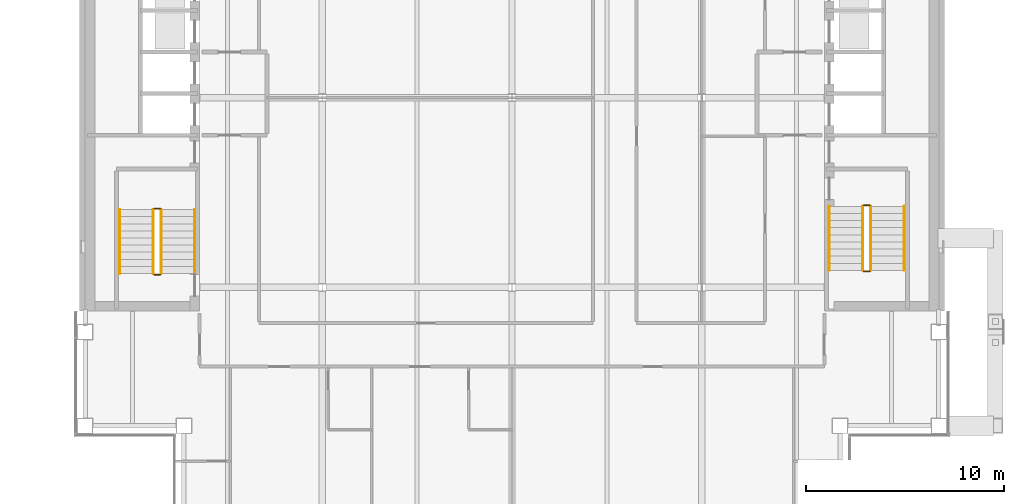
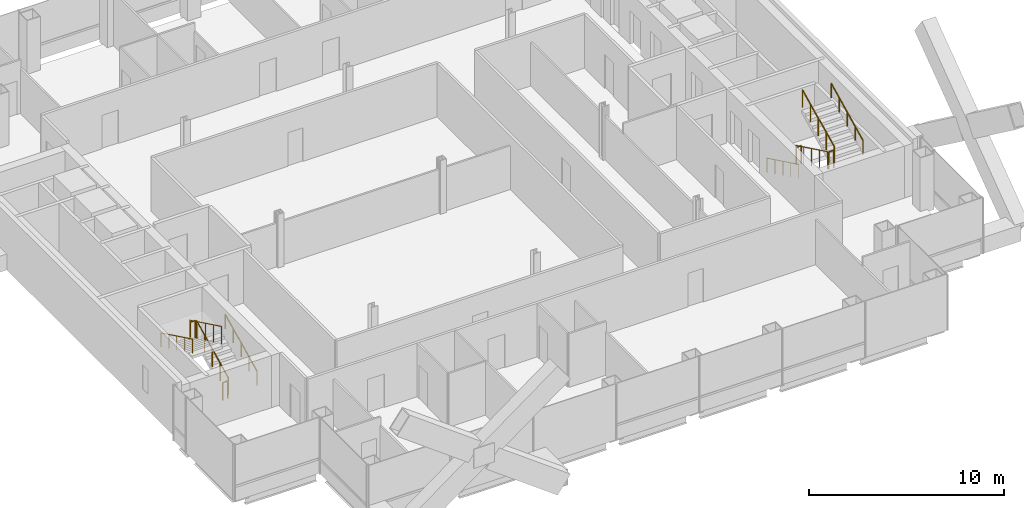
# One storey, part 13 of 14: 12 railings.
"""IFC4 building model written with IfcOpenShell, lengths in metres."""

import ifcopenshell
import ifcopenshell.guid

model = None  # the IFC model being written
_history = None  # IfcOwnerHistory: only IFC2X3 demands one
_inside = {}  # id of a spatial element -> (the spatial element, [elements in it])
_under = {}  # id of a project, library or spatial element -> (it, [spatial elements below it])
_declared = {}  # id of a project -> (the project, [libraries it declares])
_typed = {}  # id of a type object -> (the type object, [elements of that type])
_made_of = {}  # id of a material, layer set ... -> (it, [elements and type objects made of it])


def new_model(schema):
    """Start an empty IFC model of exactly this schema.

    Asked for "IFC4X3", IfcOpenShell would pick the latest addendum, in which some entities
    have other attributes; the version numbers below select the first issue.
    IFC2X3 requires an IfcOwnerHistory on every rooted entity: one is made here for all.
    """
    global model, _history
    if schema == "IFC4X3":
        model = ifcopenshell.file(schema_version=(4, 3, 0, 0))
    else:
        model = ifcopenshell.file(schema=schema)
    _inside.clear()
    _under.clear()
    _declared.clear()
    _typed.clear()
    _made_of.clear()
    _history = None
    if model.schema == "IFC2X3":
        org = make("IfcOrganization", Name="unknown")
        user = make(
            "IfcPersonAndOrganization",
            ThePerson=make("IfcPerson", FamilyName="unknown"),
            TheOrganization=org,
        )
        app = make(
            "IfcApplication",
            ApplicationDeveloper=org,
            Version="unknown",
            ApplicationFullName="unknown",
            ApplicationIdentifier="unknown",
        )
        _history = make(
            "IfcOwnerHistory",
            OwningUser=user,
            OwningApplication=app,
            ChangeAction="ADDED",
            CreationDate=0,
        )
    return model


def make(cls, **values):
    """One entity of the class cls with the attributes given. An attribute that is None is left unset."""
    return model.create_entity(
        cls, **{name: value for name, value in values.items() if value is not None}
    )


def rooted(cls, **values):
    """An entity with a GlobalId (a new one), such as an element, a storey or a relation."""
    return make(cls, GlobalId=ifcopenshell.guid.new(), OwnerHistory=_history, **values)


def si_unit(unit_type, name, prefix=None):
    """IfcSIUnit, for example si_unit("LENGTHUNIT", "METRE", prefix="MILLI")."""
    return make("IfcSIUnit", UnitType=unit_type, Prefix=prefix, Name=name)


def assignment(units):
    """IfcUnitAssignment: the units of a project."""
    return None if units is None else make("IfcUnitAssignment", Units=units)


def point(xyz):
    """IfcCartesianPoint."""
    return None if xyz is None else make("IfcCartesianPoint", Coordinates=xyz)


def direction(xyz):
    """IfcDirection."""
    return None if xyz is None else make("IfcDirection", DirectionRatios=xyz)


def frame(location, z_axis=None, x_axis=None):
    """IfcAxis2Placement3D, a coordinate frame: its origin and axes. An axis left out is left unset."""
    return make(
        "IfcAxis2Placement3D",
        Location=point(location),
        Axis=direction(z_axis),
        RefDirection=direction(x_axis),
    )


def frame_2d(location, x_axis=None):
    """IfcAxis2Placement2D, a coordinate frame in the plane: its origin and x axis."""
    return make(
        "IfcAxis2Placement2D", Location=point(location), RefDirection=direction(x_axis)
    )


def origin():
    """The frame at (0, 0, 0) with its axes left unset."""
    return frame((0.0, 0.0, 0.0))


def origin_2d():
    """The frame at (0, 0) in the plane with its x axis left unset."""
    return frame_2d((0.0, 0.0))


def place(relative_to, where):
    """IfcLocalPlacement: puts the frame where relative to a parent placement (None: the world)."""
    return make(
        "IfcLocalPlacement", PlacementRelTo=relative_to, RelativePlacement=where
    )


def context(
    kind, dimensions, precision=None, world=None, true_north=None, identifier=None
):
    """IfcGeometricRepresentationContext, for example the 3D "Model" context."""
    return make(
        "IfcGeometricRepresentationContext",
        ContextIdentifier=identifier,
        ContextType=kind,
        CoordinateSpaceDimension=dimensions,
        Precision=precision,
        WorldCoordinateSystem=world,
        TrueNorth=true_north,
    )


def subcontext(parent, identifier, kind, view, scale=None):
    """IfcGeometricRepresentationSubContext, for example "Body" below "Model"."""
    return make(
        "IfcGeometricRepresentationSubContext",
        ContextIdentifier=identifier,
        ContextType=kind,
        ParentContext=parent,
        TargetScale=scale,
        TargetView=view,
    )


def project(units=None, contexts=None):
    """IfcProject with its units and contexts."""
    return rooted(
        "IfcProject",
        Name="project",
        RepresentationContexts=contexts,
        UnitsInContext=assignment(units),
    )


def spatial(cls, under=None, at=None, **own):
    """A site, building, storey or space (cls), placed at a placement, below another one or the project."""
    s = rooted(cls, ObjectPlacement=at, **own)
    if under is not None:
        _under.setdefault(under.id(), (under, []))[1].append(s)
    return s


def profile(cls, at=None, kind="AREA", **sizes):
    """A parametric profile (cls). Its sizes go by their IFC names, for example OverallWidth=200.0."""
    return make(cls, ProfileType=kind, Position=at, **sizes)


def circle(**sizes):
    """IfcCircleProfileDef."""
    return profile("IfcCircleProfileDef", **sizes)


def extrude(swept, where, along, depth):
    """IfcExtrudedAreaSolid: the profile swept, set in the frame where, extruded along a direction by depth."""
    return make(
        "IfcExtrudedAreaSolid",
        SweptArea=swept,
        Position=where,
        ExtrudedDirection=direction(along),
        Depth=depth,
    )


def shape(context_of_items, identifier, shape_type, items):
    """IfcShapeRepresentation: the items that make up one representation, for example the "Body"."""
    return make(
        "IfcShapeRepresentation",
        ContextOfItems=context_of_items,
        RepresentationIdentifier=identifier,
        RepresentationType=shape_type,
        Items=items,
    )


def material(Name=None, Category=None):
    """IfcMaterial."""
    return make("IfcMaterial", Name=Name, Category=Category)


def made_of(thing, what):
    """Note that an element or type object is made of a material, layer set ...; save() writes the relation."""
    if what is not None:
        _made_of.setdefault(what.id(), (what, []))[1].append(thing)
    return thing


def type_object(cls, material=None, **own):
    """A type object (cls), such as IfcWallType, which elements share."""
    return made_of(rooted(cls, **own), material)


def element(
    cls,
    number,
    at=None,
    inside=None,
    cuts=None,
    type_object=None,
    material=None,
    context=None,
    identifier="Body",
    shape_type=None,
    held_by="IfcProductDefinitionShape",
    body=None,
    shapes=None,
    **own,
):
    """One element of the class cls, such as IfcWall. Its Tag is "e" and its number.

    at: its placement. inside: the storey or other place that contains it. cuts: it is an
    opening in that element (IfcRelVoidsElement). A single representation is given by context,
    identifier, shape_type and body (its items); several are given by shapes. held_by: the class
    of the entity that holds the representations. save() writes the other relations.
    """
    e = rooted(cls, Tag="e%d" % number, ObjectPlacement=at, **own)
    if body is not None:
        shapes = [shape(context, identifier, shape_type, body)]
    if shapes is not None:
        e.Representation = make(held_by, Representations=shapes)
    if inside is not None:
        _inside.setdefault(inside.id(), (inside, []))[1].append(e)
    if cuts is not None:
        rooted(
            "IfcRelVoidsElement", RelatingBuildingElement=cuts, RelatedOpeningElement=e
        )
    if type_object is not None:
        _typed.setdefault(type_object.id(), (type_object, []))[1].append(e)
    return made_of(e, material)


def aggregate(whole, parts):
    """IfcRelAggregates: a whole, such as a stair, and the parts it consists of."""
    return rooted("IfcRelAggregates", RelatingObject=whole, RelatedObjects=parts)


def save(model, path):
    """Write the relations noted so far, then the file.

    IfcRelAggregates (storeys below a building ...), IfcRelContainedInSpatialStructure (elements
    in a storey), IfcRelDefinesByType, IfcRelAssociatesMaterial and IfcRelDeclares: one each for
    every whole, place, type object, material and project.
    """
    for whole, parts in _under.values():
        aggregate(whole, parts)
    for where, things in _inside.values():
        rooted(
            "IfcRelContainedInSpatialStructure",
            RelatedElements=things,
            RelatingStructure=where,
        )
    for kind, things in _typed.values():
        rooted("IfcRelDefinesByType", RelatedObjects=things, RelatingType=kind)
    for what, things in _made_of.values():
        rooted("IfcRelAssociatesMaterial", RelatedObjects=things, RelatingMaterial=what)
    for by, libraries in _declared.values():
        rooted("IfcRelDeclares", RelatingContext=by, RelatedDefinitions=libraries)
    model.write(path)


model = new_model("IFC4")

# Units and contexts
model_context = context("Model", 3, precision=1e-05, world=origin(), true_north=direction((0.0, 1.0)))
body_context = subcontext(model_context, "Body", "Model", "MODEL_VIEW")
ifc_project = project(units=[si_unit("LENGTHUNIT", "METRE"), si_unit("AREAUNIT", "SQUARE_METRE"), si_unit("VOLUMEUNIT", "CUBIC_METRE"), si_unit("PLANEANGLEUNIT", "RADIAN"), si_unit("MASSUNIT", "GRAM", prefix="KILO")], contexts=[model_context])

# Site, building, storey
site_placement = place(None, origin())
site = spatial("IfcSite", under=ifc_project, at=site_placement, CompositionType="ELEMENT")
building_placement = place(site_placement, origin())
building = spatial("IfcBuilding", under=site, at=building_placement, Name="Cobrizo Arcos Hotel Tower", CompositionType="ELEMENT")
storey_placement = place(building_placement, frame((0.0, 0.0, 179.5)))
storey = spatial("IfcBuildingStorey", under=building, at=storey_placement, Name="L46", CompositionType="ELEMENT", Elevation=179.5)

# Railings
ifc_material = material(Name="Stainless steel railing", Category="steel")
railing_type_1 = type_object("IfcRailingType", Name="Stair guard 1100", PredefinedType="GUARDRAIL", material=ifc_material)
railing_1_placement = place(storey_placement, frame((-17.75, -8.89990234375, 0.175048828125)))
element("IfcRailing", 1, at=railing_1_placement, inside=storey, type_object=railing_type_1, Name="L46 ST-W stair guard 1", PredefinedType="GUARDRAIL", context=body_context, shape_type="SweptSolid", body=[
    extrude(circle(Radius=0.02392578125, at=origin_2d()), frame((0.0, 0.0, 1.076171875), z_axis=(0.0, 0.899372665325, 0.437182809435), x_axis=(-1.0, 0.0, 0.0)), (0.0, 0.0, 1.0), 3.6025390625),
    extrude(circle(Radius=0.02099609375, at=origin_2d()), origin(), (0.0, 0.0, 1.0), 1.052001953125),
    extrude(circle(Radius=0.02099609375, at=origin_2d()), frame((0.0, 0.81005859375, 0.393798828125)), (0.0, 0.0, 1.0), 1.052001953125),
    extrude(circle(Radius=0.02099609375, at=origin_2d()), frame((0.0, 1.6201171875, 0.78759765625)), (0.0, 0.0, 1.0), 1.052001953125),
    extrude(circle(Radius=0.02099609375, at=origin_2d()), frame((0.0, 2.429931640625, 1.18115234375)), (0.0, 0.0, 1.0), 1.052001953125),
    extrude(circle(Radius=0.02099609375, at=origin_2d()), frame((0.0, 3.239990234375, 1.574951171875)), (0.0, 0.0, 1.0), 1.052001953125),
])
railing_2_placement = place(storey_placement, frame((-17.800048828125, -5.610107421875, 1.75)))
element("IfcRailing", 2, at=railing_2_placement, inside=storey, type_object=railing_type_1, Name="L46 ST-W stair guard 2", PredefinedType="GUARDRAIL", context=body_context, shape_type="SweptSolid", body=[
    extrude(circle(Radius=0.02392578125, at=origin_2d()), frame((0.0, 0.0, 1.076171875), z_axis=(-1.0, 0.0, 0.0), x_axis=(0.0, -1.0, 0.0)), (0.0, 0.0, 1.0), 0.300048828125),
    extrude(circle(Radius=0.02099609375, at=origin_2d()), origin(), (0.0, 0.0, 1.0), 1.052001953125),
    extrude(circle(Radius=0.02099609375, at=origin_2d()), frame((-0.300048828125, 0.0, 0.0)), (0.0, 0.0, 1.0), 1.052001953125),
])
railing_3_placement = place(storey_placement, frame((-18.14990234375, -5.659912109375, 1.925048828125)))
element("IfcRailing", 3, at=railing_3_placement, inside=storey, type_object=railing_type_1, Name="L46 ST-W stair guard 3", PredefinedType="GUARDRAIL", context=body_context, shape_type="SweptSolid", body=[
    extrude(circle(Radius=0.02392578125, at=origin_2d()), frame((0.0, 0.0, 1.076171875), z_axis=(0.0, -0.899372665325, 0.437182809435), x_axis=(1.0, 0.0, 0.0)), (0.0, 0.0, 1.0), 3.6025390625),
    extrude(circle(Radius=0.02099609375, at=origin_2d()), origin(), (0.0, 0.0, 1.0), 1.052001953125),
    extrude(circle(Radius=0.02099609375, at=origin_2d()), frame((0.0, -0.81005859375, 0.393798828125)), (0.0, 0.0, 1.0), 1.052001953125),
    extrude(circle(Radius=0.02099609375, at=origin_2d()), frame((0.0, -1.6201171875, 0.78759765625)), (0.0, 0.0, 1.0), 1.052001953125),
    extrude(circle(Radius=0.02099609375, at=origin_2d()), frame((0.0, -2.429931640625, 1.18115234375)), (0.0, 0.0, 1.0), 1.052001953125),
    extrude(circle(Radius=0.02099609375, at=origin_2d()), frame((0.0, -3.239990234375, 1.574951171875)), (0.0, 0.0, 1.0), 1.052001953125),
])
railing_4_placement = place(storey_placement, frame((-17.800048828125, -8.949951171875, 0.0)))
element("IfcRailing", 4, at=railing_4_placement, inside=storey, type_object=railing_type_1, Name="L46 ST-W stair guard 4", PredefinedType="GUARDRAIL", context=body_context, shape_type="SweptSolid", body=[
    extrude(circle(Radius=0.02392578125, at=origin_2d()), frame((0.0, 0.0, 1.076171875), z_axis=(-1.0, 0.0, 0.0), x_axis=(0.0, -1.0, 0.0)), (0.0, 0.0, 1.0), 0.300048828125),
    extrude(circle(Radius=0.02099609375, at=origin_2d()), origin(), (0.0, 0.0, 1.0), 1.052001953125),
    extrude(circle(Radius=0.02099609375, at=origin_2d()), frame((-0.300048828125, 0.0, 0.0)), (0.0, 0.0, 1.0), 1.052001953125),
])
railing_5_placement = place(storey_placement, frame((17.75, -5.5, 0.175048828125)))
element("IfcRailing", 5, at=railing_5_placement, inside=storey, type_object=railing_type_1, Name="L46 ST-E stair guard 1", PredefinedType="GUARDRAIL", context=body_context, shape_type="SweptSolid", body=[
    extrude(circle(Radius=0.02392578125, at=origin_2d()), frame((0.0, 0.0, 1.076171875), z_axis=(0.0, -0.899372665325, 0.437182809435), x_axis=(1.0, 0.0, 0.0)), (0.0, 0.0, 1.0), 3.6025390625),
    extrude(circle(Radius=0.02099609375, at=origin_2d()), origin(), (0.0, 0.0, 1.0), 1.052001953125),
    extrude(circle(Radius=0.02099609375, at=origin_2d()), frame((0.0, -0.81005859375, 0.393798828125)), (0.0, 0.0, 1.0), 1.052001953125),
    extrude(circle(Radius=0.02099609375, at=origin_2d()), frame((0.0, -1.6201171875, 0.78759765625)), (0.0, 0.0, 1.0), 1.052001953125),
    extrude(circle(Radius=0.02099609375, at=origin_2d()), frame((0.0, -2.429931640625, 1.18115234375)), (0.0, 0.0, 1.0), 1.052001953125),
    extrude(circle(Radius=0.02099609375, at=origin_2d()), frame((0.0, -3.239990234375, 1.574951171875)), (0.0, 0.0, 1.0), 1.052001953125),
])
railing_6_placement = place(storey_placement, frame((17.800048828125, -8.7900390625, 1.75)))
element("IfcRailing", 6, at=railing_6_placement, inside=storey, type_object=railing_type_1, Name="L46 ST-E stair guard 2", PredefinedType="GUARDRAIL", context=body_context, shape_type="SweptSolid", body=[
    extrude(circle(Radius=0.02392578125, at=origin_2d()), frame((0.0, 0.0, 1.076171875), z_axis=(1.0, 0.0, 0.0), x_axis=(0.0, 1.0, 0.0)), (0.0, 0.0, 1.0), 0.300048828125),
    extrude(circle(Radius=0.02099609375, at=origin_2d()), origin(), (0.0, 0.0, 1.0), 1.052001953125),
    extrude(circle(Radius=0.02099609375, at=origin_2d()), frame((0.300048828125, 0.0, 0.0)), (0.0, 0.0, 1.0), 1.052001953125),
])
railing_7_placement = place(storey_placement, frame((18.14990234375, -8.739990234375, 1.925048828125)))
element("IfcRailing", 7, at=railing_7_placement, inside=storey, type_object=railing_type_1, Name="L46 ST-E stair guard 3", PredefinedType="GUARDRAIL", context=body_context, shape_type="SweptSolid", body=[
    extrude(circle(Radius=0.02392578125, at=origin_2d()), frame((0.0, 0.0, 1.076171875), z_axis=(0.0, 0.899372665325, 0.437182809435), x_axis=(-1.0, 0.0, 0.0)), (0.0, 0.0, 1.0), 3.6025390625),
    extrude(circle(Radius=0.02099609375, at=origin_2d()), origin(), (0.0, 0.0, 1.0), 1.052001953125),
    extrude(circle(Radius=0.02099609375, at=origin_2d()), frame((0.0, 0.81005859375, 0.393798828125)), (0.0, 0.0, 1.0), 1.052001953125),
    extrude(circle(Radius=0.02099609375, at=origin_2d()), frame((0.0, 1.6201171875, 0.78759765625)), (0.0, 0.0, 1.0), 1.052001953125),
    extrude(circle(Radius=0.02099609375, at=origin_2d()), frame((0.0, 2.429931640625, 1.18115234375)), (0.0, 0.0, 1.0), 1.052001953125),
    extrude(circle(Radius=0.02099609375, at=origin_2d()), frame((0.0, 3.239990234375, 1.574951171875)), (0.0, 0.0, 1.0), 1.052001953125),
])
railing_8_placement = place(storey_placement, frame((17.800048828125, -5.449951171875, 0.0)))
element("IfcRailing", 8, at=railing_8_placement, inside=storey, type_object=railing_type_1, Name="L46 ST-E stair guard 4", PredefinedType="GUARDRAIL", context=body_context, shape_type="SweptSolid", body=[
    extrude(circle(Radius=0.02392578125, at=origin_2d()), frame((0.0, 0.0, 1.076171875), z_axis=(1.0, 0.0, 0.0), x_axis=(0.0, 1.0, 0.0)), (0.0, 0.0, 1.0), 0.300048828125),
    extrude(circle(Radius=0.02099609375, at=origin_2d()), origin(), (0.0, 0.0, 1.0), 1.052001953125),
    extrude(circle(Radius=0.02099609375, at=origin_2d()), frame((0.300048828125, 0.0, 0.0)), (0.0, 0.0, 1.0), 1.052001953125),
])
railing_type_2 = type_object("IfcRailingType", Name="Stair handrail", PredefinedType="HANDRAIL", material=ifc_material)
railing_9_placement = place(storey_placement, frame((-16.050048828125, -8.89990234375, 0.175048828125)))
element("IfcRailing", 9, at=railing_9_placement, inside=storey, type_object=railing_type_2, Name="L46 ST-W stair handrail 1", PredefinedType="HANDRAIL", context=body_context, shape_type="SweptSolid", body=[
    extrude(circle(Radius=0.02392578125, at=origin_2d()), frame((0.0, 0.0, 0.8759765625), z_axis=(0.0, 0.899372665325, 0.437182809435), x_axis=(-1.0, 0.0, 0.0)), (0.0, 0.0, 1.0), 3.6025390625),
    extrude(circle(Radius=0.02099609375, at=origin_2d()), origin(), (0.0, 0.0, 1.0), 0.851806640625),
    extrude(circle(Radius=0.02099609375, at=origin_2d()), frame((0.0, 0.81005859375, 0.393798828125)), (0.0, 0.0, 1.0), 0.851806640625),
    extrude(circle(Radius=0.02099609375, at=origin_2d()), frame((0.0, 1.6201171875, 0.78759765625)), (0.0, 0.0, 1.0), 0.851806640625),
    extrude(circle(Radius=0.02099609375, at=origin_2d()), frame((0.0, 2.429931640625, 1.18115234375)), (0.0, 0.0, 1.0), 0.851806640625),
    extrude(circle(Radius=0.02099609375, at=origin_2d()), frame((0.0, 3.239990234375, 1.574951171875)), (0.0, 0.0, 1.0), 0.851806640625),
])
for number, where, name in (
    (10, (-19.85009765625, -5.659912109375, 1.925048828125), "L46 ST-W stair handrail 2"),
    (11, (16.050048828125, -5.5, 0.175048828125), "L46 ST-E stair handrail 1"),
):
    element("IfcRailing", number, at=place(storey_placement, frame(where)), inside=storey, type_object=railing_type_2, Name=name, PredefinedType="HANDRAIL", context=body_context, shape_type="SweptSolid", body=[
        extrude(circle(Radius=0.02392578125, at=origin_2d()), frame((0.0, 0.0, 0.8759765625), z_axis=(0.0, -0.899372665325, 0.437182809435), x_axis=(1.0, 0.0, 0.0)), (0.0, 0.0, 1.0), 3.6025390625),
        extrude(circle(Radius=0.02099609375, at=origin_2d()), origin(), (0.0, 0.0, 1.0), 0.851806640625),
        extrude(circle(Radius=0.02099609375, at=origin_2d()), frame((0.0, -0.81005859375, 0.393798828125)), (0.0, 0.0, 1.0), 0.851806640625),
        extrude(circle(Radius=0.02099609375, at=origin_2d()), frame((0.0, -1.6201171875, 0.78759765625)), (0.0, 0.0, 1.0), 0.851806640625),
        extrude(circle(Radius=0.02099609375, at=origin_2d()), frame((0.0, -2.429931640625, 1.18115234375)), (0.0, 0.0, 1.0), 0.851806640625),
        extrude(circle(Radius=0.02099609375, at=origin_2d()), frame((0.0, -3.239990234375, 1.574951171875)), (0.0, 0.0, 1.0), 0.851806640625),
    ])
railing_10_placement = place(storey_placement, frame((19.85009765625, -8.739990234375, 1.925048828125)))
element("IfcRailing", 12, at=railing_10_placement, inside=storey, type_object=railing_type_2, Name="L46 ST-E stair handrail 2", PredefinedType="HANDRAIL", context=body_context, shape_type="SweptSolid", body=[
    extrude(circle(Radius=0.02392578125, at=origin_2d()), frame((0.0, 0.0, 0.8759765625), z_axis=(0.0, 0.899372665325, 0.437182809435), x_axis=(-1.0, 0.0, 0.0)), (0.0, 0.0, 1.0), 3.6025390625),
    extrude(circle(Radius=0.02099609375, at=origin_2d()), origin(), (0.0, 0.0, 1.0), 0.851806640625),
    extrude(circle(Radius=0.02099609375, at=origin_2d()), frame((0.0, 0.81005859375, 0.393798828125)), (0.0, 0.0, 1.0), 0.851806640625),
    extrude(circle(Radius=0.02099609375, at=origin_2d()), frame((0.0, 1.6201171875, 0.78759765625)), (0.0, 0.0, 1.0), 0.851806640625),
    extrude(circle(Radius=0.02099609375, at=origin_2d()), frame((0.0, 2.429931640625, 1.18115234375)), (0.0, 0.0, 1.0), 0.851806640625),
    extrude(circle(Radius=0.02099609375, at=origin_2d()), frame((0.0, 3.239990234375, 1.574951171875)), (0.0, 0.0, 1.0), 0.851806640625),
])

save(model, "model.ifc")
